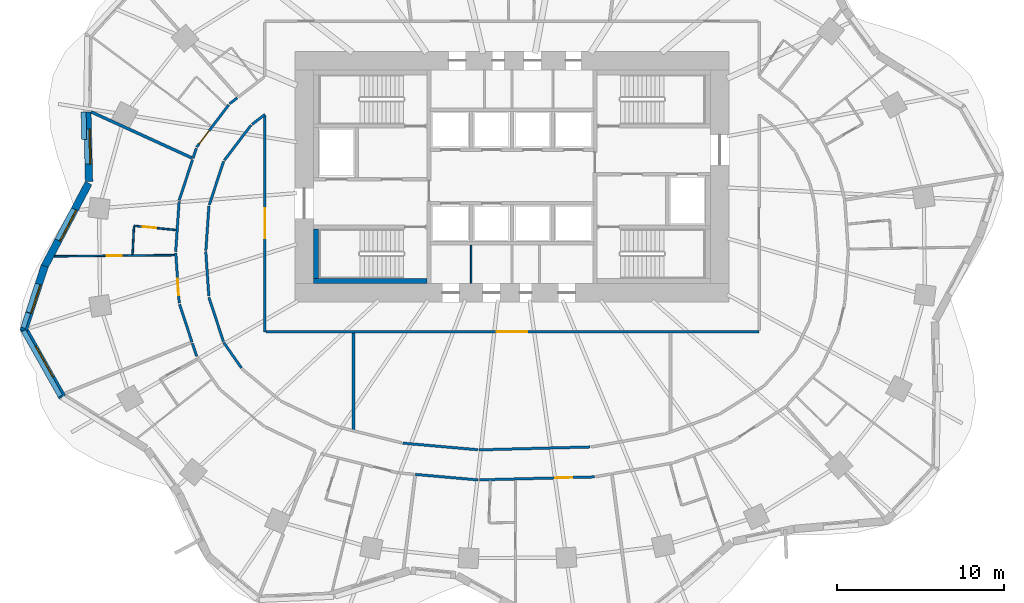
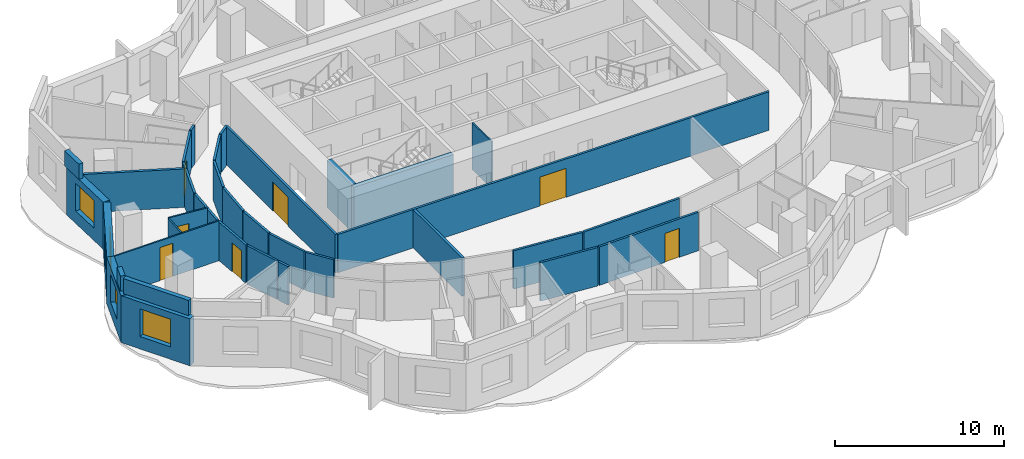
# One storey, part 4 of 11: 36 walls, 7 doors, 4 windows, 11 openings.
"""IFC4 building model written with IfcOpenShell, lengths in metres."""

from ifc_helpers import new_model, si_unit, direction, frame, frame_2d, origin, place, context, subcontext, project, spatial, rectangle, extrude, material, layer, layer_set, type_object, element, fill, save


model = new_model("IFC4")

# Units and contexts
model_context = context("Model", 3, precision=1e-05, world=origin(), true_north=direction((0.0, 1.0)))
body_context = subcontext(model_context, "Body", "Model", "MODEL_VIEW")
ifc_project = project(units=[si_unit("LENGTHUNIT", "METRE"), si_unit("AREAUNIT", "SQUARE_METRE"), si_unit("VOLUMEUNIT", "CUBIC_METRE"), si_unit("PLANEANGLEUNIT", "RADIAN"), si_unit("MASSUNIT", "GRAM", prefix="KILO")], contexts=[model_context])

# Site, building, storey
site_placement = place(None, origin())
site = spatial("IfcSite", under=ifc_project, at=site_placement, CompositionType="ELEMENT")
building_placement = place(site_placement, origin())
building = spatial("IfcBuilding", under=site, at=building_placement, Name="Rubra Terraces Tower", CompositionType="ELEMENT")
storey_placement = place(building_placement, frame((0.0, 0.0, 114.0)))
storey = spatial("IfcBuildingStorey", under=building, at=storey_placement, Name="L27", CompositionType="ELEMENT", Elevation=114.0)

# Walls
ifc_material_1 = material(Name="Twin plasterboard on staggered steel stud, acoustic mineral wool", Category="steel")
ifc_layer_1 = layer(ifc_material_1, 0.175048828125)
ifc_layer_set_1 = layer_set([ifc_layer_1], Name="Twin plasterboard on staggered steel stud, acoustic mineral wool")
wall_type_1 = type_object("IfcWallType", Name="ACOUSTIC PARTY WALL 175", PredefinedType="PARTITIONING", material=ifc_layer_set_1)
wall_1_placement = place(storey_placement, frame((-25.2119140625, 8.375244140625, 0.0), z_axis=(0.0, 0.0, 1.0), x_axis=(0.909561207786, -0.415569981219, 0.0)))
element("IfcWall", 1, at=wall_1_placement, inside=storey, type_object=wall_type_1, Name="PARTITION", PredefinedType="PARTITIONING", context=body_context, shape_type="SweptSolid", body=[
    extrude(rectangle(XDim=6.6279296875, YDim=0.175048828125, at=frame_2d((3.31396484375, 0.0))), origin(), (0.0, 0.0, 1.0), 2.783935546875),
])
wall_2_placement = place(storey_placement, frame((-9.5, -10.653564453125, 0.0), z_axis=(0.0, 0.0, 1.0), x_axis=(0.0, 1.0, 0.0)))
element("IfcWall", 2, at=wall_2_placement, inside=storey, type_object=wall_type_1, Name="PARTITION", PredefinedType="PARTITIONING", context=body_context, shape_type="SweptSolid", body=[
    extrude(rectangle(XDim=5.778564453125, YDim=0.175048828125, at=frame_2d((2.88916015625, 0.0))), origin(), (0.0, 0.0, 1.0), 2.783935546875),
])

# Wall, opening, window
ifc_material_2 = material(Name="Brick masonry red-brown", Category="masonry")
ifc_layer_2 = layer(ifc_material_2, 0.449951171875)
ifc_layer_set_2 = layer_set([ifc_layer_2], Name="Brick masonry red-brown")
wall_type_2 = type_object("IfcWallType", Name="Brick facade wall 450", PredefinedType="SOLIDWALL", material=ifc_layer_set_2)
wall_3_placement = place(storey_placement, frame((-25.44091796875, 8.375, 0.0), z_axis=(0.0, 0.0, 1.0), x_axis=(0.024385850259, -0.999702620936, 0.0)))
wall_3 = element("IfcWall", 3, at=wall_3_placement, inside=storey, type_object=wall_type_2, Name="Facade wall L27 bay 19", PredefinedType="SOLIDWALL", context=body_context, shape_type="SweptSolid", body=[
    extrude(rectangle(XDim=4.164794921875, YDim=0.449951171875, at=frame_2d((2.08251953125, 0.0))), origin(), (0.0, 0.0, 1.0), 3.39990234375),
])
opening_1_placement = place(wall_3_placement, frame((1.032470703125, 0.0, 0.89990234375)))
opening_1 = element("IfcOpeningElement", 4, at=opening_1_placement, cuts=wall_3, Name="Opening W1", PredefinedType="OPENING", context=body_context, shape_type="SweptSolid", body=[
    extrude(rectangle(XDim=2.10009765625, YDim=2.0, at=frame_2d((1.050048828125, 1.0))), frame((0.0, 0.23486328125, 0.0), z_axis=(0.0, -1.0, 0.0), x_axis=(1.0, 0.0, 0.0)), (0.0, 0.0, 1.0), 0.469970703125),
])
ifc_material_3 = material(Name="Clear glass in aluminium frame", Category="aluminium")
window_type_1 = type_object("IfcWindowType", Name="Fixed deep-set window 2100 x 2000", PartitioningType="SINGLE_PANEL", PredefinedType="WINDOW", material=ifc_material_3)
window_1_placement = place(opening_1_placement, origin())
window_1 = element("IfcWindow", 5, at=window_1_placement, inside=storey, type_object=window_type_1, Name="Window L27 bay 19", OverallHeight=2.0, OverallWidth=2.10009765625, PartitioningType="SINGLE_PANEL", PredefinedType="WINDOW", context=body_context, shape_type="SweptSolid", body=[
    extrude(rectangle(XDim=2.10009765625, YDim=2.0, at=frame_2d((1.050048828125, 1.0))), frame((0.0, 0.135009765625, 0.0), z_axis=(0.0, -1.0, 0.0), x_axis=(1.0, 0.0, 0.0)), (0.0, 0.0, 1.0), 0.06005859375),
])
fill(opening_1, window_1)

wall_4_placement = place(storey_placement, frame((-25.365478515625, 4.10693359375, 0.0), z_axis=(0.0, 0.0, 1.0), x_axis=(-0.467239399168, -0.884130840919, 0.0)))
wall_4 = element("IfcWall", 6, at=wall_4_placement, inside=storey, type_object=wall_type_2, Name="Facade wall L27 bay 20", PredefinedType="SOLIDWALL", context=body_context, shape_type="SweptSolid", body=[
    extrude(rectangle(XDim=5.658935546875, YDim=0.449951171875, at=frame_2d((2.82958984375, 0.0))), origin(), (0.0, 0.0, 1.0), 3.39990234375),
])
opening_2_placement = place(wall_4_placement, frame((1.779296875, 0.0, 0.89990234375)))
opening_2 = element("IfcOpeningElement", 7, at=opening_2_placement, cuts=wall_4, Name="Opening W1", PredefinedType="OPENING", context=body_context, shape_type="SweptSolid", body=[
    extrude(rectangle(XDim=2.10009765625, YDim=2.0, at=frame_2d((1.050048828125, 1.0))), frame((0.0, 0.23486328125, 0.0), z_axis=(0.0, -1.0, 0.0), x_axis=(1.0, 0.0, 0.0)), (0.0, 0.0, 1.0), 0.469970703125),
])
window_2_placement = place(opening_2_placement, origin())
window_2 = element("IfcWindow", 8, at=window_2_placement, inside=storey, type_object=window_type_1, Name="Window L27 bay 20", OverallHeight=2.0, OverallWidth=2.10009765625, PartitioningType="SINGLE_PANEL", PredefinedType="WINDOW", context=body_context, shape_type="SweptSolid", body=[
    extrude(rectangle(XDim=2.10009765625, YDim=2.0, at=frame_2d((1.050048828125, 1.0))), frame((0.0, 0.135009765625, 0.0), z_axis=(0.0, -1.0, 0.0), x_axis=(1.0, 0.0, 0.0)), (0.0, 0.0, 1.0), 0.06005859375),
])
fill(opening_2, window_2)

wall_5_placement = place(storey_placement, frame((-27.99462890625, -0.861083984375, 0.0), z_axis=(0.0, 0.0, 1.0), x_axis=(-0.310693110673, -0.950510279261, 0.0)))
wall_5 = element("IfcWall", 9, at=wall_5_placement, inside=storey, type_object=wall_type_2, Name="Facade wall L27 bay 21", PredefinedType="SOLIDWALL", context=body_context, shape_type="SweptSolid", body=[
    extrude(rectangle(XDim=4.079833984375, YDim=0.449951171875, at=frame_2d((2.0400390625, 0.0))), origin(), (0.0, 0.0, 1.0), 3.39990234375),
])
opening_3_placement = place(wall_5_placement, frame((1.139892578125, 0.0, 0.89990234375)))
opening_3 = element("IfcOpeningElement", 10, at=opening_3_placement, cuts=wall_5, Name="Opening W6", PredefinedType="OPENING", context=body_context, shape_type="SweptSolid", body=[
    extrude(rectangle(XDim=1.800048828125, YDim=2.0, at=frame_2d((0.89990234375, 1.0))), frame((0.0, 0.23486328125, 0.0), z_axis=(0.0, -1.0, 0.0), x_axis=(1.0, 0.0, 0.0)), (0.0, 0.0, 1.0), 0.469970703125),
])
window_type_2 = type_object("IfcWindowType", Name="Fixed deep-set window at wind fin 1800 x 2000", PartitioningType="SINGLE_PANEL", PredefinedType="WINDOW", material=ifc_material_3)
window_3_placement = place(opening_3_placement, origin())
window_3 = element("IfcWindow", 11, at=window_3_placement, inside=storey, type_object=window_type_2, Name="Window L27 bay 21", OverallHeight=2.0, OverallWidth=1.800048828125, PartitioningType="SINGLE_PANEL", PredefinedType="WINDOW", context=body_context, shape_type="SweptSolid", body=[
    extrude(rectangle(XDim=1.800048828125, YDim=2.0, at=frame_2d((0.89990234375, 1.0))), frame((0.0, 0.135009765625, 0.0), z_axis=(0.0, -1.0, 0.0), x_axis=(1.0, 0.0, 0.0)), (0.0, 0.0, 1.0), 0.06005859375),
])
fill(opening_3, window_3)

wall_6_placement = place(storey_placement, frame((-29.280029296875, -4.558349609375, 0.0), z_axis=(0.0, 0.0, 1.0), x_axis=(0.491511608999, -0.870871022723, 0.0)))
wall_6 = element("IfcWall", 12, at=wall_6_placement, inside=storey, type_object=wall_type_2, Name="Facade wall L27 bay 22", PredefinedType="SOLIDWALL", context=body_context, shape_type="SweptSolid", body=[
    extrude(rectangle(XDim=4.762939453125, YDim=0.449951171875, at=frame_2d((2.38134765625, 0.0))), origin(), (0.0, 0.0, 1.0), 3.39990234375),
])
opening_4_placement = place(wall_6_placement, frame((1.33154296875, 0.0, 0.89990234375)))
opening_4 = element("IfcOpeningElement", 13, at=opening_4_placement, cuts=wall_6, Name="Opening W1", PredefinedType="OPENING", context=body_context, shape_type="SweptSolid", body=[
    extrude(rectangle(XDim=2.10009765625, YDim=2.0, at=frame_2d((1.050048828125, 1.0))), frame((0.0, 0.23486328125, 0.0), z_axis=(0.0, -1.0, 0.0), x_axis=(1.0, 0.0, 0.0)), (0.0, 0.0, 1.0), 0.469970703125),
])
window_4_placement = place(opening_4_placement, origin())
window_4 = element("IfcWindow", 14, at=window_4_placement, inside=storey, type_object=window_type_1, Name="Window L27 bay 22", OverallHeight=2.0, OverallWidth=2.10009765625, PartitioningType="SINGLE_PANEL", PredefinedType="WINDOW", context=body_context, shape_type="SweptSolid", body=[
    extrude(rectangle(XDim=2.10009765625, YDim=2.0, at=frame_2d((1.050048828125, 1.0))), frame((0.0, 0.135009765625, 0.0), z_axis=(0.0, -1.0, 0.0), x_axis=(1.0, 0.0, 0.0)), (0.0, 0.0, 1.0), 0.06005859375),
])
fill(opening_4, window_4)

# Walls
ifc_layer_3 = layer(ifc_material_2, 0.300048828125)
ifc_layer_set_3 = layer_set([ifc_layer_3], Name="Brick masonry red-brown")
wall_type_3 = type_object("IfcWallType", Name="Brick parapet 300", PredefinedType="PARAPET", material=ifc_layer_set_3)
wall_7_placement = place(storey_placement, frame((-25.665771484375, 8.375732421875, 3.60009765625), z_axis=(0.0, 0.0, 1.0), x_axis=(0.024357650064, -0.999703308429, 0.0)))
element("IfcWall", 15, at=wall_7_placement, inside=storey, type_object=wall_type_3, Name="Parapet L27 bay 19", PredefinedType="PARAPET", context=body_context, shape_type="SweptSolid", body=[
    extrude(rectangle(XDim=1.643798828125, YDim=0.300048828125, at=frame_2d((0.82177734375, 0.0))), origin(), (0.0, 0.0, 1.0), 1.099853515625),
])
wall_8_placement = place(storey_placement, frame((-28.987548828125, -3.657470703125, 3.60009765625), z_axis=(0.0, 0.0, 1.0), x_axis=(-0.310832502734, -0.950464704891, 0.0)))
element("IfcWall", 16, at=wall_8_placement, inside=storey, type_object=wall_type_3, Name="Parapet L27 bay 21", PredefinedType="PARAPET", context=body_context, shape_type="SweptSolid", body=[
    extrude(rectangle(XDim=0.951171875, YDim=0.300048828125, at=frame_2d((0.4755859375, 0.0))), origin(), (0.0, 0.0, 1.0), 1.099853515625),
])
wall_9_placement = place(storey_placement, frame((-29.265625, -4.736572265625, 3.60009765625), z_axis=(0.0, 0.0, 1.0), x_axis=(0.491480740547, -0.870888443873, 0.0)))
element("IfcWall", 17, at=wall_9_placement, inside=storey, type_object=wall_type_3, Name="Parapet L27 bay 22", PredefinedType="PARAPET", context=body_context, shape_type="SweptSolid", body=[
    extrude(rectangle(XDim=4.494140625, YDim=0.300048828125, at=frame_2d((2.2470703125, 0.0))), origin(), (0.0, 0.0, 1.0), 1.099853515625),
])
ifc_material_4 = material(Name="Plasterboard on steel stud, mineral wool infill", Category="steel")
ifc_layer_4 = layer(ifc_material_4, 0.14990234375)
ifc_layer_set_4 = layer_set([ifc_layer_4], Name="Plasterboard on steel stud, mineral wool infill")
wall_type_4 = type_object("IfcWallType", Name="CORRIDOR PARTITION 150", PredefinedType="PARTITIONING", material=ifc_layer_set_4)
wall_10_placement = place(storey_placement, frame((-5.79541015625, -13.342529296875, 0.0), z_axis=(0.0, 0.0, 1.0), x_axis=(0.996141988263, -0.087756134937, 0.0)))
element("IfcWall", 18, at=wall_10_placement, inside=storey, type_object=wall_type_4, Name="PARTITION", PredefinedType="PARTITIONING", context=body_context, shape_type="SweptSolid", body=[
    extrude(rectangle(XDim=3.778076171875, YDim=0.14990234375, at=frame_2d((1.88916015625, 0.0))), origin(), (0.0, 0.0, 1.0), 2.783935546875),
])

# Wall, opening, door
wall_11_placement = place(storey_placement, frame((-1.95703125, -13.672119140625, 0.0), z_axis=(0.0, 0.0, 1.0), x_axis=(0.99966456087, 0.025899145557, 0.0)))
wall_11 = element("IfcWall", 19, at=wall_11_placement, inside=storey, type_object=wall_type_4, Name="PARTITION", PredefinedType="PARTITIONING", context=body_context, shape_type="SweptSolid", body=[
    extrude(rectangle(XDim=6.900146484375, YDim=0.14990234375, at=frame_2d((3.4501953125, 0.0))), origin(), (0.0, 0.0, 1.0), 2.783935546875),
])
opening_5_placement = place(wall_11_placement, frame((4.55908203125, 0.0, 0.0)))
opening_5 = element("IfcOpeningElement", 20, at=opening_5_placement, cuts=wall_11, Name="Opening 27-103", PredefinedType="OPENING", context=body_context, shape_type="SweptSolid", body=[
    extrude(rectangle(XDim=1.0, YDim=2.10009765625, at=frame_2d((0.5, 1.050048828125))), frame((0.0, 0.0849609375, 0.0), z_axis=(0.0, -1.0, 0.0), x_axis=(1.0, 0.0, 0.0)), (0.0, 0.0, 1.0), 0.169921875),
])
ifc_material_5 = material(Name="Painted timber door leaf", Category="wood")
door_type_1 = type_object("IfcDoorType", Name="ROOM DOOR 1000 X 2100", OperationType="SINGLE_SWING_LEFT", PredefinedType="DOOR", material=ifc_material_5)
door_1_placement = place(opening_5_placement, origin())
door_1 = element("IfcDoor", 21, at=door_1_placement, inside=storey, type_object=door_type_1, Name="DOOR 27-103", OperationType="SINGLE_SWING_RIGHT", OverallHeight=2.10009765625, OverallWidth=1.0, PredefinedType="DOOR", context=body_context, shape_type="SweptSolid", body=[
    extrude(rectangle(XDim=1.0, YDim=2.10009765625, at=frame_2d((0.5, 1.050048828125))), frame((0.0, 0.02490234375, 0.0), z_axis=(0.0, -1.0, 0.0), x_axis=(1.0, 0.0, 0.0)), (0.0, 0.0, 1.0), 0.050048828125),
])
fill(opening_5, door_1)

# Wall
wall_12_placement = place(storey_placement, frame((-16.458251953125, 9.216796875, 0.0), z_axis=(0.0, 0.0, 1.0), x_axis=(-0.791661143807, -0.610960418837, 0.0)))
element("IfcWall", 22, at=wall_12_placement, inside=storey, type_object=wall_type_4, Name="PARTITION", PredefinedType="PARTITIONING", context=body_context, shape_type="SweptSolid", body=[
    extrude(rectangle(XDim=0.5849609375, YDim=0.14990234375, at=frame_2d((0.29248046875, 0.0))), origin(), (0.0, 0.0, 1.0), 2.783935546875),
])

# Wall, opening, door
wall_13_placement = place(storey_placement, frame((-16.966796875, 8.799560546875, 0.0), z_axis=(0.0, 0.0, 1.0), x_axis=(-0.604991921991, -0.796231608469, 0.0)))
wall_13 = element("IfcWall", 23, at=wall_13_placement, inside=storey, type_object=wall_type_4, Name="PARTITION", PredefinedType="PARTITIONING", context=body_context, shape_type="SweptSolid", body=[
    extrude(rectangle(XDim=3.18505859375, YDim=0.14990234375, at=frame_2d((1.592529296875, 0.0))), origin(), (0.0, 0.0, 1.0), 2.783935546875),
])
opening_6_placement = place(wall_13_placement, frame((1.93505859375, 0.0, 0.0)))
opening_6 = element("IfcOpeningElement", 24, at=opening_6_placement, cuts=wall_13, Name="Opening 27-124", PredefinedType="OPENING", context=body_context, shape_type="SweptSolid", body=[
    extrude(rectangle(XDim=1.0, YDim=2.10009765625, at=frame_2d((0.5, 1.050048828125))), frame((0.0, 0.0849609375, 0.0), z_axis=(0.0, -1.0, 0.0), x_axis=(1.0, 0.0, 0.0)), (0.0, 0.0, 1.0), 0.169921875),
])
door_2_placement = place(opening_6_placement, origin())
door_2 = element("IfcDoor", 25, at=door_2_placement, inside=storey, type_object=door_type_1, Name="DOOR 27-124", OperationType="SINGLE_SWING_RIGHT", OverallHeight=2.10009765625, OverallWidth=1.0, PredefinedType="DOOR", context=body_context, shape_type="SweptSolid", body=[
    extrude(rectangle(XDim=1.0, YDim=2.10009765625, at=frame_2d((0.5, 1.050048828125))), frame((0.0, 0.02490234375, 0.0), z_axis=(0.0, -1.0, 0.0), x_axis=(1.0, 0.0, 0.0)), (0.0, 0.0, 1.0), 0.050048828125),
])
fill(opening_6, door_2)

# Walls
wall_14_placement = place(storey_placement, frame((-18.917236328125, 6.192138671875, 0.0), z_axis=(0.0, 0.0, 1.0), x_axis=(-0.312183068354, -0.950021963869, 0.0)))
element("IfcWall", 26, at=wall_14_placement, inside=storey, type_object=wall_type_4, Name="PARTITION", PredefinedType="PARTITIONING", context=body_context, shape_type="SweptSolid", body=[
    extrude(rectangle(XDim=0.63427734375, YDim=0.14990234375, at=frame_2d((0.317138671875, 0.0))), origin(), (0.0, 0.0, 1.0), 2.783935546875),
])
wall_15_placement = place(storey_placement, frame((-19.138671875, 5.518310546875, 0.0), z_axis=(0.0, 0.0, 1.0), x_axis=(-0.312048797346, -0.950066075636, 0.0)))
element("IfcWall", 27, at=wall_15_placement, inside=storey, type_object=wall_type_4, Name="PARTITION", PredefinedType="PARTITIONING", context=body_context, shape_type="SweptSolid", body=[
    extrude(rectangle(XDim=2.560791015625, YDim=0.14990234375, at=frame_2d((1.2802734375, 0.0))), origin(), (0.0, 0.0, 1.0), 2.783935546875),
])
wall_16_placement = place(storey_placement, frame((-19.94287109375, 3.0107421875, 0.0), z_axis=(0.0, 0.0, 1.0), x_axis=(-0.068280105787, -0.997666190243, 0.0)))
element("IfcWall", 28, at=wall_16_placement, inside=storey, type_object=wall_type_4, Name="PARTITION", PredefinedType="PARTITIONING", context=body_context, shape_type="SweptSolid", body=[
    extrude(rectangle(XDim=3.017822265625, YDim=0.14990234375, at=frame_2d((1.5087890625, 0.0))), origin(), (0.0, 0.0, 1.0), 2.783935546875),
])

# Wall, opening, door
wall_17_placement = place(storey_placement, frame((-20.143798828125, -0.07470703125, 0.0), z_axis=(0.0, 0.0, 1.0), x_axis=(0.068280105787, -0.997666190243, 0.0)))
wall_17 = element("IfcWall", 29, at=wall_17_placement, inside=storey, type_object=wall_type_4, Name="PARTITION", PredefinedType="PARTITIONING", context=body_context, shape_type="SweptSolid", body=[
    extrude(rectangle(XDim=3.017822265625, YDim=0.14990234375, at=frame_2d((1.5087890625, 0.0))), origin(), (0.0, 0.0, 1.0), 2.783935546875),
])
opening_7_placement = place(wall_17_placement, frame((1.550048828125, 0.0, 0.0)))
opening_7 = element("IfcOpeningElement", 30, at=opening_7_placement, cuts=wall_17, Name="Opening 27-127", PredefinedType="OPENING", context=body_context, shape_type="SweptSolid", body=[
    extrude(rectangle(XDim=1.0, YDim=2.10009765625, at=frame_2d((0.5, 1.050048828125))), frame((0.0, 0.0849609375, 0.0), z_axis=(0.0, -1.0, 0.0), x_axis=(1.0, 0.0, 0.0)), (0.0, 0.0, 1.0), 0.169921875),
])
door_3_placement = place(opening_7_placement, origin())
door_3 = element("IfcDoor", 31, at=door_3_placement, inside=storey, type_object=door_type_1, Name="DOOR 27-127", OperationType="SINGLE_SWING_RIGHT", OverallHeight=2.10009765625, OverallWidth=1.0, PredefinedType="DOOR", context=body_context, shape_type="SweptSolid", body=[
    extrude(rectangle(XDim=1.0, YDim=2.10009765625, at=frame_2d((0.5, 1.050048828125))), frame((0.0, 0.02490234375, 0.0), z_axis=(0.0, -1.0, 0.0), x_axis=(1.0, 0.0, 0.0)), (0.0, 0.0, 1.0), 0.050048828125),
])
fill(opening_7, door_3)

# Walls
wall_18_placement = place(storey_placement, frame((-19.914306640625, -3.15673828125, 0.0), z_axis=(0.0, 0.0, 1.0), x_axis=(0.31204226044, -0.950068222655, 0.0)))
element("IfcWall", 32, at=wall_18_placement, inside=storey, type_object=wall_type_4, Name="PARTITION", PredefinedType="PARTITIONING", context=body_context, shape_type="SweptSolid", body=[
    extrude(rectangle(XDim=2.381591796875, YDim=0.14990234375, at=frame_2d((1.19091796875, 0.0))), origin(), (0.0, 0.0, 1.0), 2.783935546875),
])
wall_19_placement = place(storey_placement, frame((-19.147705078125, -5.49072265625, 0.0), z_axis=(0.0, 0.0, 1.0), x_axis=(0.312172640186, -0.950025390566, 0.0)))
element("IfcWall", 33, at=wall_19_placement, inside=storey, type_object=wall_type_4, Name="PARTITION", PredefinedType="PARTITIONING", context=body_context, shape_type="SweptSolid", body=[
    extrude(rectangle(XDim=0.813232421875, YDim=0.14990234375, at=frame_2d((0.40673828125, 0.0))), origin(), (0.0, 0.0, 1.0), 2.783935546875),
])
wall_20_placement = place(storey_placement, frame((4.684326171875, -11.69921875, 0.0), z_axis=(0.0, 0.0, 1.0), x_axis=(-0.999663438204, -0.025942442425, 0.0)))
element("IfcWall", 34, at=wall_20_placement, inside=storey, type_object=wall_type_4, Name="PARTITION", PredefinedType="PARTITIONING", context=body_context, shape_type="SweptSolid", body=[
    extrude(rectangle(XDim=6.662841796875, YDim=0.14990234375, at=frame_2d((3.33154296875, 0.0))), origin(), (0.0, 0.0, 1.0), 2.783935546875),
])
wall_21_placement = place(storey_placement, frame((-2.05078125, -11.865478515625, 0.0), z_axis=(0.0, 0.0, 1.0), x_axis=(-0.996139599493, 0.087783246245, 0.0)))
element("IfcWall", 35, at=wall_21_placement, inside=storey, type_object=wall_type_4, Name="PARTITION", PredefinedType="PARTITIONING", context=body_context, shape_type="SweptSolid", body=[
    extrude(rectangle(XDim=4.510986328125, YDim=0.14990234375, at=frame_2d((2.25537109375, 0.0))), origin(), (0.0, 0.0, 1.0), 2.783935546875),
])
wall_22_placement = place(storey_placement, frame((-16.20947265625, -6.9658203125, 0.0), z_axis=(0.0, 0.0, 1.0), x_axis=(-0.572051367607, 0.820217795966, 0.0)))
element("IfcWall", 36, at=wall_22_placement, inside=storey, type_object=wall_type_4, Name="PARTITION", PredefinedType="PARTITIONING", context=body_context, shape_type="SweptSolid", body=[
    extrude(rectangle(XDim=1.84765625, YDim=0.14990234375, at=frame_2d((0.923828125, 0.0))), origin(), (0.0, 0.0, 1.0), 2.783935546875),
])
wall_23_placement = place(storey_placement, frame((-17.289794921875, -5.379150390625, 0.0), z_axis=(0.0, 0.0, 1.0), x_axis=(-0.312009486843, 0.950078986253, 0.0)))
element("IfcWall", 37, at=wall_23_placement, inside=storey, type_object=wall_type_4, Name="PARTITION", PredefinedType="PARTITIONING", context=body_context, shape_type="SweptSolid", body=[
    extrude(rectangle(XDim=2.780029296875, YDim=0.14990234375, at=frame_2d((1.39013671875, 0.0))), origin(), (0.0, 0.0, 1.0), 2.783935546875),
])
for number, where, z_axis, x_axis, name in (
    (38, (-18.162353515625, -2.6630859375, 0.0), (0.0, 0.0, 1.0), (-0.068321828968, 0.997663333839, 0.0), "PARTITION"),
    (39, (-18.339599609375, 0.07470703125, 0.0), (0.0, 0.0, 1.0), (0.068321828968, 0.997663333839, 0.0), "PARTITION"),
):
    element("IfcWall", number, at=place(storey_placement, frame(where, z_axis=z_axis, x_axis=x_axis)), inside=storey, type_object=wall_type_4, Name=name, PredefinedType="PARTITIONING", context=body_context, shape_type="SweptSolid", body=[
        extrude(rectangle(XDim=2.66943359375, YDim=0.14990234375, at=frame_2d((1.334716796875, 0.0))), origin(), (0.0, 0.0, 1.0), 2.783935546875),
    ])
wall_24_placement = place(storey_placement, frame((-18.1337890625, 2.80908203125, 0.0), z_axis=(0.0, 0.0, 1.0), x_axis=(0.312005223814, 0.950080386237, 0.0)))
element("IfcWall", 40, at=wall_24_placement, inside=storey, type_object=wall_type_4, Name="PARTITION", PredefinedType="PARTITIONING", context=body_context, shape_type="SweptSolid", body=[
    extrude(rectangle(XDim=2.74267578125, YDim=0.14990234375, at=frame_2d((1.371337890625, 0.0))), origin(), (0.0, 0.0, 1.0), 2.783935546875),
])
wall_25_placement = place(storey_placement, frame((-17.232666015625, 5.474609375, 0.0), z_axis=(0.0, 0.0, 1.0), x_axis=(0.605024750549, 0.796206663639, 0.0)))
element("IfcWall", 41, at=wall_25_placement, inside=storey, type_object=wall_type_4, Name="PARTITION", PredefinedType="PARTITIONING", context=body_context, shape_type="SweptSolid", body=[
    extrude(rectangle(XDim=2.644775390625, YDim=0.14990234375, at=frame_2d((1.322265625, 0.0))), origin(), (0.0, 0.0, 1.0), 2.783935546875),
])
wall_26_placement = place(storey_placement, frame((-15.572998046875, 7.626220703125, 0.0), z_axis=(0.0, 0.0, 1.0), x_axis=(0.791581834002, 0.611063171921, 0.0)))
element("IfcWall", 42, at=wall_26_placement, inside=storey, type_object=wall_type_4, Name="PARTITION", PredefinedType="PARTITIONING", context=body_context, shape_type="SweptSolid", body=[
    extrude(rectangle(XDim=0.9765625, YDim=0.14990234375, at=frame_2d((0.48828125, 0.0))), origin(), (0.0, 0.0, 1.0), 2.783935546875),
])

# Wall, opening, door
wall_27_placement = place(storey_placement, frame((-14.800048828125, 8.14794921875, 0.0), z_axis=(0.0, 0.0, 1.0), x_axis=(0.0, -1.0, 0.0)))
wall_27 = element("IfcWall", 43, at=wall_27_placement, inside=storey, type_object=wall_type_4, Name="PARTITION", PredefinedType="PARTITIONING", context=body_context, shape_type="SweptSolid", body=[
    extrude(rectangle(XDim=12.947998046875, YDim=0.14990234375, at=frame_2d((6.47412109375, 0.0))), origin(), (0.0, 0.0, 1.0), 2.783935546875),
])
opening_8_placement = place(wall_27_placement, frame((5.535888671875, 0.0, 0.0)))
opening_8 = element("IfcOpeningElement", 44, at=opening_8_placement, cuts=wall_27, Name="Opening 27-134", PredefinedType="OPENING", context=body_context, shape_type="SweptSolid", body=[
    extrude(rectangle(XDim=1.800048828125, YDim=2.10009765625, at=frame_2d((0.89990234375, 1.050048828125))), frame((0.0, 0.0849609375, 0.0), z_axis=(0.0, -1.0, 0.0), x_axis=(1.0, 0.0, 0.0)), (0.0, 0.0, 1.0), 0.169921875),
])
ifc_material_6 = material(Name="Painted timber door leaf, double", Category="wood")
door_type_2 = type_object("IfcDoorType", Name="ROOM DOUBLE DOOR 1800 X 2100", OperationType="DOUBLE_DOOR_SINGLE_SWING", PredefinedType="DOOR", material=ifc_material_6)
door_4_placement = place(opening_8_placement, origin())
door_4 = element("IfcDoor", 45, at=door_4_placement, inside=storey, type_object=door_type_2, Name="DOOR 27-134", OperationType="DOUBLE_DOOR_SINGLE_SWING", OverallHeight=2.10009765625, OverallWidth=1.800048828125, PredefinedType="DOOR", context=body_context, shape_type="SweptSolid", body=[
    extrude(rectangle(XDim=1.800048828125, YDim=2.10009765625, at=frame_2d((0.89990234375, 1.050048828125))), frame((0.0, 0.02490234375, 0.0), z_axis=(0.0, -1.0, 0.0), x_axis=(1.0, 0.0, 0.0)), (0.0, 0.0, 1.0), 0.050048828125),
])
fill(opening_8, door_4)

wall_28_placement = place(storey_placement, frame((-14.72509765625, -4.800048828125, 0.0), z_axis=(0.0, 0.0, 1.0), x_axis=(1.0, 0.0, 0.0)))
wall_28 = element("IfcWall", 46, at=wall_28_placement, inside=storey, type_object=wall_type_4, Name="PARTITION", PredefinedType="PARTITIONING", context=body_context, shape_type="SweptSolid", body=[
    extrude(rectangle(XDim=29.525146484375, YDim=0.14990234375, at=frame_2d((14.7626953125, 0.0))), origin(), (0.0, 0.0, 1.0), 2.783935546875),
])
opening_9_placement = place(wall_28_placement, frame((13.824951171875, 0.0, 0.0)))
opening_9 = element("IfcOpeningElement", 47, at=opening_9_placement, cuts=wall_28, Name="Opening 27-135", PredefinedType="OPENING", context=body_context, shape_type="SweptSolid", body=[
    extrude(rectangle(XDim=1.800048828125, YDim=2.10009765625, at=frame_2d((0.89990234375, 1.050048828125))), frame((0.0, 0.0849609375, 0.0), z_axis=(0.0, -1.0, 0.0), x_axis=(1.0, 0.0, 0.0)), (0.0, 0.0, 1.0), 0.169921875),
])
door_5_placement = place(opening_9_placement, origin())
door_5 = element("IfcDoor", 48, at=door_5_placement, inside=storey, type_object=door_type_2, Name="DOOR 27-135", OperationType="DOUBLE_DOOR_SINGLE_SWING", OverallHeight=2.10009765625, OverallWidth=1.800048828125, PredefinedType="DOOR", context=body_context, shape_type="SweptSolid", body=[
    extrude(rectangle(XDim=1.800048828125, YDim=2.10009765625, at=frame_2d((0.89990234375, 1.050048828125))), frame((0.0, 0.02490234375, 0.0), z_axis=(0.0, -1.0, 0.0), x_axis=(1.0, 0.0, 0.0)), (0.0, 0.0, 1.0), 0.050048828125),
])
fill(opening_9, door_5)

# Walls
ifc_material_7 = material(Name="Concrete C40", Category="concrete")
ifc_layer_5 = layer(ifc_material_7, 0.300048828125)
ifc_layer_set_5 = layer_set([ifc_layer_5], Name="Concrete C40")
wall_type_5 = type_object("IfcWallType", Name="Core lining wall 300 concrete", PredefinedType="SOLIDWALL", material=ifc_layer_set_5)
wall_29_placement = place(storey_placement, frame((-11.89990234375, -1.75, 0.0), z_axis=(0.0, 0.0, 1.0), x_axis=(1.0, 0.0, 0.0)))
element("IfcWall", 49, at=wall_29_placement, inside=storey, type_object=wall_type_5, Name="CORE LINING WALL L27", PredefinedType="SOLIDWALL", context=body_context, shape_type="SweptSolid", body=[
    extrude(rectangle(XDim=6.7998046875, YDim=0.300048828125, at=frame_2d((3.39990234375, 0.0))), origin(), (0.0, 0.0, 1.0), 3.39990234375),
])
wall_30_placement = place(storey_placement, frame((-11.75, -1.60009765625, 0.0), z_axis=(0.0, 0.0, 1.0), x_axis=(0.0, 1.0, 0.0)))
element("IfcWall", 50, at=wall_30_placement, inside=storey, type_object=wall_type_5, Name="CORE LINING WALL L27", PredefinedType="SOLIDWALL", context=body_context, shape_type="SweptSolid", body=[
    extrude(rectangle(XDim=2.9501953125, YDim=0.300048828125, at=frame_2d((1.47509765625, 0.0))), origin(), (0.0, 0.0, 1.0), 3.39990234375),
])

# Wall, opening, door
ifc_material_8 = material(Name="Plasterboard on steel stud", Category="steel")
ifc_layer_6 = layer(ifc_material_8, 0.10009765625)
ifc_layer_set_6 = layer_set([ifc_layer_6], Name="Plasterboard on steel stud")
wall_type_6 = type_object("IfcWallType", Name="ROOM PARTITION 100", PredefinedType="PARTITIONING", material=ifc_layer_set_6)
wall_31_placement = place(storey_placement, frame((-27.4228515625, -0.276123046875, 0.0), z_axis=(0.0, 0.0, 1.0), x_axis=(0.999952493171, 0.009747379185, 0.0)))
wall_31 = element("IfcWall", 51, at=wall_31_placement, inside=storey, type_object=wall_type_6, Name="PARTITION", PredefinedType="PARTITIONING", context=body_context, shape_type="SweptSolid", body=[
    extrude(rectangle(XDim=7.21337890625, YDim=0.10009765625, at=frame_2d((3.606689453125, 0.0))), origin(), (0.0, 0.0, 1.0), 2.884033203125),
])
opening_10_placement = place(wall_31_placement, frame((3.137939453125, 0.0, 0.0)))
opening_10 = element("IfcOpeningElement", 52, at=opening_10_placement, cuts=wall_31, Name="Opening 27-126", PredefinedType="OPENING", context=body_context, shape_type="SweptSolid", body=[
    extrude(rectangle(XDim=0.89990234375, YDim=2.39990234375, at=frame_2d((0.449951171875, 1.199951171875))), frame((0.0, 0.06005859375, 0.0), z_axis=(0.0, -1.0, 0.0), x_axis=(1.0, 0.0, 0.0)), (0.0, 0.0, 1.0), 0.1201171875),
])
ifc_material_9 = material(Name="Veneered timber door leaf, fire-rated", Category="wood")
door_type_3 = type_object("IfcDoorType", Name="SUITE ENTRANCE DOOR 900 X 2400", OperationType="SINGLE_SWING_LEFT", PredefinedType="DOOR", material=ifc_material_9)
door_6_placement = place(opening_10_placement, origin())
door_6 = element("IfcDoor", 53, at=door_6_placement, inside=storey, type_object=door_type_3, Name="DOOR 27-126", OperationType="SINGLE_SWING_LEFT", OverallHeight=2.39990234375, OverallWidth=0.89990234375, PredefinedType="DOOR", context=body_context, shape_type="SweptSolid", body=[
    extrude(rectangle(XDim=0.89990234375, YDim=2.39990234375, at=frame_2d((0.449951171875, 1.199951171875))), frame((0.0, 0.02490234375, 0.0), z_axis=(0.0, -1.0, 0.0), x_axis=(1.0, 0.0, 0.0)), (0.0, 0.0, 1.0), 0.050048828125),
])
fill(opening_10, door_6)

wall_32_placement = place(storey_placement, frame((-20.135009765625, 1.298828125, 0.0), z_axis=(0.0, 0.0, 1.0), x_axis=(-0.995029529449, 0.099580296865, 0.0)))
wall_32 = element("IfcWall", 54, at=wall_32_placement, inside=storey, type_object=wall_type_6, Name="PARTITION", PredefinedType="PARTITIONING", context=body_context, shape_type="SweptSolid", body=[
    extrude(rectangle(XDim=2.525146484375, YDim=0.10009765625, at=frame_2d((1.2626953125, 0.0))), origin(), (0.0, 0.0, 1.0), 2.884033203125),
])
opening_11_placement = place(wall_32_placement, frame((1.199951171875, 0.0, 0.0)))
opening_11 = element("IfcOpeningElement", 55, at=opening_11_placement, cuts=wall_32, Name="Opening 27-125", PredefinedType="OPENING", context=body_context, shape_type="SweptSolid", body=[
    extrude(rectangle(XDim=0.800048828125, YDim=2.10009765625, at=frame_2d((0.39990234375, 1.050048828125))), frame((0.0, 0.06005859375, 0.0), z_axis=(0.0, -1.0, 0.0), x_axis=(1.0, 0.0, 0.0)), (0.0, 0.0, 1.0), 0.1201171875),
])
door_type_4 = type_object("IfcDoorType", Name="BATHROOM DOOR 800 X 2100", OperationType="SINGLE_SWING_LEFT", PredefinedType="DOOR", material=ifc_material_5)
door_7_placement = place(opening_11_placement, origin())
door_7 = element("IfcDoor", 56, at=door_7_placement, inside=storey, type_object=door_type_4, Name="DOOR 27-125", OperationType="SINGLE_SWING_LEFT", OverallHeight=2.10009765625, OverallWidth=0.800048828125, PredefinedType="DOOR", context=body_context, shape_type="SweptSolid", body=[
    extrude(rectangle(XDim=0.800048828125, YDim=2.10009765625, at=frame_2d((0.39990234375, 1.050048828125))), frame((0.0, 0.02490234375, 0.0), z_axis=(0.0, -1.0, 0.0), x_axis=(1.0, 0.0, 0.0)), (0.0, 0.0, 1.0), 0.050048828125),
])
fill(opening_11, door_7)

# Walls
wall_33_placement = place(storey_placement, frame((-22.64990234375, 1.500244140625, 0.0), z_axis=(0.0, 0.0, 1.0), x_axis=(-0.049033178909, -0.998797150259, 0.0)))
element("IfcWall", 57, at=wall_33_placement, inside=storey, type_object=wall_type_6, Name="PARTITION", PredefinedType="PARTITIONING", context=body_context, shape_type="SweptSolid", body=[
    extrude(rectangle(XDim=1.682861328125, YDim=0.10009765625, at=frame_2d((0.84130859375, 0.0))), origin(), (0.0, 0.0, 1.0), 2.884033203125),
])
ifc_material_10 = material(Name="Blockwork", Category="masonry")
ifc_layer_7 = layer(ifc_material_10, 0.10009765625)
ifc_layer_set_7 = layer_set([ifc_layer_7], Name="Blockwork")
wall_type_7 = type_object("IfcWallType", Name="Service partition 100 blockwork", PredefinedType="PARTITIONING", material=ifc_layer_set_7)
wall_34_placement = place(storey_placement, frame((-2.449951171875, -1.89990234375, 0.0), z_axis=(0.0, 0.0, 1.0), x_axis=(0.0, 1.0, 0.0)))
element("IfcWall", 58, at=wall_34_placement, inside=storey, type_object=wall_type_7, Name="SERVICE ROOM PARTITION L27", PredefinedType="PARTITIONING", context=body_context, shape_type="SweptSolid", body=[
    extrude(rectangle(XDim=2.2998046875, YDim=0.10009765625, at=frame_2d((1.14990234375, 0.0))), origin(), (0.0, 0.0, 1.0), 3.39990234375),
])

save(model, "model.ifc")
